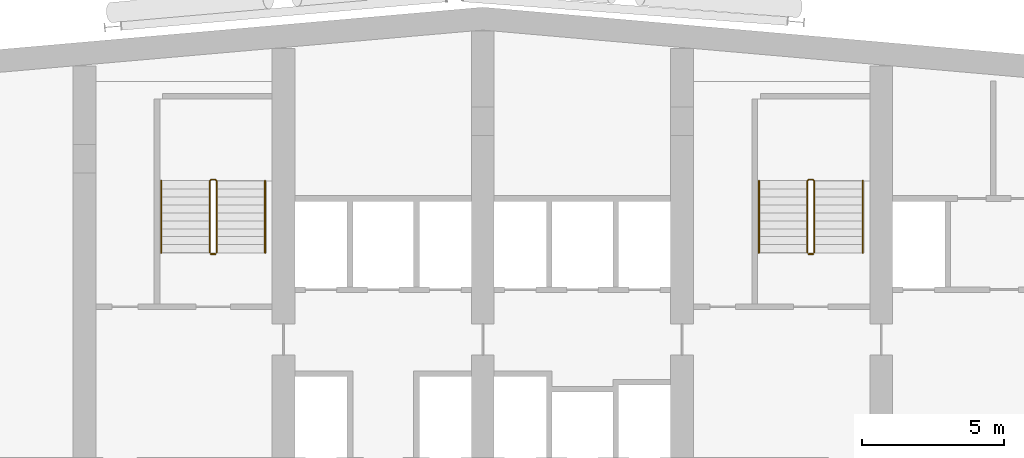
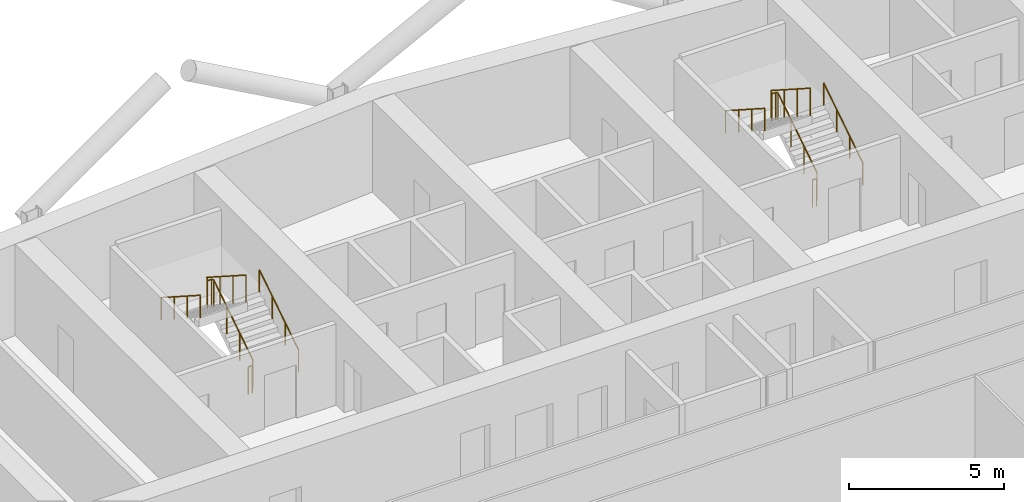
# One storey, part 27 of 27: 8 railings.
"""IFC4 building model written with IfcOpenShell, lengths in metres."""

from ifc_helpers import new_model, si_unit, direction, frame, origin, origin_2d, place, context, subcontext, project, spatial, circle, extrude, material, type_object, element, save


model = new_model("IFC4")

# Units and contexts
model_context = context("Model", 3, precision=1e-05, world=origin(), true_north=direction((0.0, 1.0)))
body_context = subcontext(model_context, "Body", "Model", "MODEL_VIEW")
ifc_project = project(units=[si_unit("LENGTHUNIT", "METRE"), si_unit("AREAUNIT", "SQUARE_METRE"), si_unit("VOLUMEUNIT", "CUBIC_METRE"), si_unit("PLANEANGLEUNIT", "RADIAN"), si_unit("MASSUNIT", "GRAM", prefix="KILO")], contexts=[model_context])

# Site, building, storey
site_placement = place(None, origin())
site = spatial("IfcSite", under=ifc_project, at=site_placement, CompositionType="ELEMENT")
building_placement = place(site_placement, origin())
building = spatial("IfcBuilding", under=site, at=building_placement, Name="Wharfspan Tower", CompositionType="ELEMENT")
storey_placement = place(building_placement, frame((0.0, 0.0, 191.5)))
storey = spatial("IfcBuildingStorey", under=building, at=storey_placement, Name="L47", CompositionType="ELEMENT", Elevation=191.5)

# Railings
ifc_material = material(Name="Steel S355J2", Category="steel")
railing_type_1 = type_object("IfcRailingType", Name="Stair guard 1100", PredefinedType="GUARDRAIL", material=ifc_material)
railing_1_placement = place(storey_placement, frame((27.649902, 42.0, 0.179932)))
element("IfcRailing", 1, at=railing_1_placement, inside=storey, type_object=railing_type_1, Name="L47 ST1 stair guard 1", PredefinedType="GUARDRAIL", context=body_context, shape_type="SweptSolid", body=[
    extrude(circle(Radius=0.023926, at=origin_2d()), frame((0.0, 0.0, 1.076172), z_axis=(0.0, 0.841163, 0.540782), x_axis=(-1.0, 0.0, 0.0)), (0.0, 0.0, 1.0), 2.99585),
    extrude(circle(Radius=0.023926, at=origin_2d()), frame((0.0, 2.52002, 2.696289), z_axis=(-0.705376, 0.708834, 0.0), x_axis=(-0.708834, -0.705376, 0.0)), (0.0, 0.0, 1.0), 0.070557),
    extrude(circle(Radius=0.023926, at=origin_2d()), frame((-0.049805, 2.570068, 2.696289), z_axis=(-1.0, 0.0, 0.0), x_axis=(0.0, -1.0, 0.0)), (0.0, 0.0, 1.0), 0.150146),
    extrude(circle(Radius=0.023926, at=origin_2d()), frame((-0.199951, 2.570068, 2.696289), z_axis=(-0.258848, -0.258848, 0.930589), x_axis=(0.707107, -0.707107, 0.0)), (0.0, 0.0, 1.0), 0.193359),
    extrude(circle(Radius=0.023926, at=origin_2d()), frame((-0.25, 2.52002, 2.875977), z_axis=(0.0, -0.841163, 0.540782), x_axis=(1.0, 0.0, 0.0)), (0.0, 0.0, 1.0), 2.99585),
    extrude(circle(Radius=0.020996, at=origin_2d()), origin(), (0.0, 0.0, 1.0), 1.052002),
    extrude(circle(Radius=0.020996, at=origin_2d()), frame((0.0, 0.840088, 0.540039)), (0.0, 0.0, 1.0), 1.052002),
    extrude(circle(Radius=0.020996, at=origin_2d()), frame((0.0, 1.679932, 1.080078)), (0.0, 0.0, 1.0), 1.052002),
    extrude(circle(Radius=0.020996, at=origin_2d()), frame((0.0, 2.52002, 1.620117)), (0.0, 0.0, 1.0), 1.052002),
    extrude(circle(Radius=0.020996, at=origin_2d()), frame((-0.049805, 2.570068, 1.620117)), (0.0, 0.0, 1.0), 1.052002),
    extrude(circle(Radius=0.020996, at=origin_2d()), frame((-0.199951, 2.570068, 1.620117)), (0.0, 0.0, 1.0), 1.052002),
    extrude(circle(Radius=0.020996, at=origin_2d()), frame((-0.25, 2.52002, 1.800049)), (0.0, 0.0, 1.0), 1.052002),
    extrude(circle(Radius=0.020996, at=origin_2d()), frame((-0.25, 1.679932, 2.340088)), (0.0, 0.0, 1.0), 1.052002),
    extrude(circle(Radius=0.020996, at=origin_2d()), frame((-0.25, 0.840088, 2.880127)), (0.0, 0.0, 1.0), 1.052002),
    extrude(circle(Radius=0.020996, at=origin_2d()), frame((-0.25, 0.0, 3.420166)), (0.0, 0.0, 1.0), 1.052002),
])
railing_2_placement = place(storey_placement, frame((27.600098, 41.949951, 0.0)))
element("IfcRailing", 2, at=railing_2_placement, inside=storey, type_object=railing_type_1, Name="L47 ST1 stair guard 2", PredefinedType="GUARDRAIL", context=body_context, shape_type="SweptSolid", body=[
    extrude(circle(Radius=0.023926, at=origin_2d()), frame((0.0, 0.0, 1.076172), z_axis=(-1.0, 0.0, 0.0), x_axis=(0.0, -1.0, 0.0)), (0.0, 0.0, 1.0), 0.150146),
    extrude(circle(Radius=0.020996, at=origin_2d()), origin(), (0.0, 0.0, 1.0), 1.052002),
    extrude(circle(Radius=0.020996, at=origin_2d()), frame((-0.150146, 0.0, 0.0)), (0.0, 0.0, 1.0), 1.052002),
])
railing_3_placement = place(storey_placement, frame((48.649902, 42.0, 0.179932)))
element("IfcRailing", 3, at=railing_3_placement, inside=storey, type_object=railing_type_1, Name="L47 ST2 stair guard 1", PredefinedType="GUARDRAIL", context=body_context, shape_type="SweptSolid", body=[
    extrude(circle(Radius=0.023926, at=origin_2d()), frame((0.0, 0.0, 1.076172), z_axis=(0.0, 0.841163, 0.540782), x_axis=(-1.0, 0.0, 0.0)), (0.0, 0.0, 1.0), 2.99585),
    extrude(circle(Radius=0.023926, at=origin_2d()), frame((0.0, 2.52002, 2.696289), z_axis=(-0.705376, 0.708834, 0.0), x_axis=(-0.708834, -0.705376, 0.0)), (0.0, 0.0, 1.0), 0.070557),
    extrude(circle(Radius=0.023926, at=origin_2d()), frame((-0.049805, 2.570068, 2.696289), z_axis=(-1.0, 0.0, 0.0), x_axis=(0.0, -1.0, 0.0)), (0.0, 0.0, 1.0), 0.150146),
    extrude(circle(Radius=0.023926, at=origin_2d()), frame((-0.199951, 2.570068, 2.696289), z_axis=(-0.258848, -0.258848, 0.930589), x_axis=(0.707107, -0.707107, 0.0)), (0.0, 0.0, 1.0), 0.193359),
    extrude(circle(Radius=0.023926, at=origin_2d()), frame((-0.25, 2.52002, 2.875977), z_axis=(0.0, -0.841163, 0.540782), x_axis=(1.0, 0.0, 0.0)), (0.0, 0.0, 1.0), 2.99585),
    extrude(circle(Radius=0.020996, at=origin_2d()), origin(), (0.0, 0.0, 1.0), 1.052002),
    extrude(circle(Radius=0.020996, at=origin_2d()), frame((0.0, 0.840088, 0.540039)), (0.0, 0.0, 1.0), 1.052002),
    extrude(circle(Radius=0.020996, at=origin_2d()), frame((0.0, 1.679932, 1.080078)), (0.0, 0.0, 1.0), 1.052002),
    extrude(circle(Radius=0.020996, at=origin_2d()), frame((0.0, 2.52002, 1.620117)), (0.0, 0.0, 1.0), 1.052002),
    extrude(circle(Radius=0.020996, at=origin_2d()), frame((-0.049805, 2.570068, 1.620117)), (0.0, 0.0, 1.0), 1.052002),
    extrude(circle(Radius=0.020996, at=origin_2d()), frame((-0.199951, 2.570068, 1.620117)), (0.0, 0.0, 1.0), 1.052002),
    extrude(circle(Radius=0.020996, at=origin_2d()), frame((-0.25, 2.52002, 1.800049)), (0.0, 0.0, 1.0), 1.052002),
    extrude(circle(Radius=0.020996, at=origin_2d()), frame((-0.25, 1.679932, 2.340088)), (0.0, 0.0, 1.0), 1.052002),
    extrude(circle(Radius=0.020996, at=origin_2d()), frame((-0.25, 0.840088, 2.880127)), (0.0, 0.0, 1.0), 1.052002),
    extrude(circle(Radius=0.020996, at=origin_2d()), frame((-0.25, 0.0, 3.420166)), (0.0, 0.0, 1.0), 1.052002),
])
railing_4_placement = place(storey_placement, frame((48.600098, 41.949951, 0.0)))
element("IfcRailing", 4, at=railing_4_placement, inside=storey, type_object=railing_type_1, Name="L47 ST2 stair guard 2", PredefinedType="GUARDRAIL", context=body_context, shape_type="SweptSolid", body=[
    extrude(circle(Radius=0.023926, at=origin_2d()), frame((0.0, 0.0, 1.076172), z_axis=(-1.0, 0.0, 0.0), x_axis=(0.0, -1.0, 0.0)), (0.0, 0.0, 1.0), 0.150146),
    extrude(circle(Radius=0.020996, at=origin_2d()), origin(), (0.0, 0.0, 1.0), 1.052002),
    extrude(circle(Radius=0.020996, at=origin_2d()), frame((-0.150146, 0.0, 0.0)), (0.0, 0.0, 1.0), 1.052002),
])
railing_type_2 = type_object("IfcRailingType", Name="Stair handrail 900", PredefinedType="HANDRAIL", material=ifc_material)
railing_5_placement = place(storey_placement, frame((29.350098, 42.0, 0.179932)))
element("IfcRailing", 5, at=railing_5_placement, inside=storey, type_object=railing_type_2, Name="L47 ST1 stair handrail 1", PredefinedType="HANDRAIL", context=body_context, shape_type="SweptSolid", body=[
    extrude(circle(Radius=0.023926, at=origin_2d()), frame((0.0, 0.0, 0.875977), z_axis=(0.0, 0.841163, 0.540782), x_axis=(-1.0, 0.0, 0.0)), (0.0, 0.0, 1.0), 2.99585),
    extrude(circle(Radius=0.020996, at=origin_2d()), origin(), (0.0, 0.0, 1.0), 0.851807),
    extrude(circle(Radius=0.020996, at=origin_2d()), frame((0.0, 0.840088, 0.540039)), (0.0, 0.0, 1.0), 0.851807),
    extrude(circle(Radius=0.020996, at=origin_2d()), frame((0.0, 1.679932, 1.080078)), (0.0, 0.0, 1.0), 0.851807),
    extrude(circle(Radius=0.020996, at=origin_2d()), frame((0.0, 2.52002, 1.620117)), (0.0, 0.0, 1.0), 0.851807),
])
railing_6_placement = place(storey_placement, frame((25.699951, 44.52002, 1.97998)))
element("IfcRailing", 6, at=railing_6_placement, inside=storey, type_object=railing_type_2, Name="L47 ST1 stair handrail 2", PredefinedType="HANDRAIL", context=body_context, shape_type="SweptSolid", body=[
    extrude(circle(Radius=0.023926, at=origin_2d()), frame((0.0, 0.0, 0.875977), z_axis=(0.0, -0.841163, 0.540782), x_axis=(1.0, 0.0, 0.0)), (0.0, 0.0, 1.0), 2.99585),
    extrude(circle(Radius=0.020996, at=origin_2d()), origin(), (0.0, 0.0, 1.0), 0.851807),
    extrude(circle(Radius=0.020996, at=origin_2d()), frame((0.0, -0.840088, 0.540039)), (0.0, 0.0, 1.0), 0.851807),
    extrude(circle(Radius=0.020996, at=origin_2d()), frame((0.0, -1.679932, 1.080078)), (0.0, 0.0, 1.0), 0.851807),
    extrude(circle(Radius=0.020996, at=origin_2d()), frame((0.0, -2.52002, 1.620117)), (0.0, 0.0, 1.0), 0.851807),
])
railing_7_placement = place(storey_placement, frame((50.350098, 42.0, 0.179932)))
element("IfcRailing", 7, at=railing_7_placement, inside=storey, type_object=railing_type_2, Name="L47 ST2 stair handrail 1", PredefinedType="HANDRAIL", context=body_context, shape_type="SweptSolid", body=[
    extrude(circle(Radius=0.023926, at=origin_2d()), frame((0.0, 0.0, 0.875977), z_axis=(0.0, 0.841163, 0.540782), x_axis=(-1.0, 0.0, 0.0)), (0.0, 0.0, 1.0), 2.99585),
    extrude(circle(Radius=0.020996, at=origin_2d()), origin(), (0.0, 0.0, 1.0), 0.851807),
    extrude(circle(Radius=0.020996, at=origin_2d()), frame((0.0, 0.840088, 0.540039)), (0.0, 0.0, 1.0), 0.851807),
    extrude(circle(Radius=0.020996, at=origin_2d()), frame((0.0, 1.679932, 1.080078)), (0.0, 0.0, 1.0), 0.851807),
    extrude(circle(Radius=0.020996, at=origin_2d()), frame((0.0, 2.52002, 1.620117)), (0.0, 0.0, 1.0), 0.851807),
])
railing_8_placement = place(storey_placement, frame((46.699951, 44.52002, 1.97998)))
element("IfcRailing", 8, at=railing_8_placement, inside=storey, type_object=railing_type_2, Name="L47 ST2 stair handrail 2", PredefinedType="HANDRAIL", context=body_context, shape_type="SweptSolid", body=[
    extrude(circle(Radius=0.023926, at=origin_2d()), frame((0.0, 0.0, 0.875977), z_axis=(0.0, -0.841163, 0.540782), x_axis=(1.0, 0.0, 0.0)), (0.0, 0.0, 1.0), 2.99585),
    extrude(circle(Radius=0.020996, at=origin_2d()), origin(), (0.0, 0.0, 1.0), 0.851807),
    extrude(circle(Radius=0.020996, at=origin_2d()), frame((0.0, -0.840088, 0.540039)), (0.0, 0.0, 1.0), 0.851807),
    extrude(circle(Radius=0.020996, at=origin_2d()), frame((0.0, -1.679932, 1.080078)), (0.0, 0.0, 1.0), 0.851807),
    extrude(circle(Radius=0.020996, at=origin_2d()), frame((0.0, -2.52002, 1.620117)), (0.0, 0.0, 1.0), 0.851807),
])

save(model, "model.ifc")
